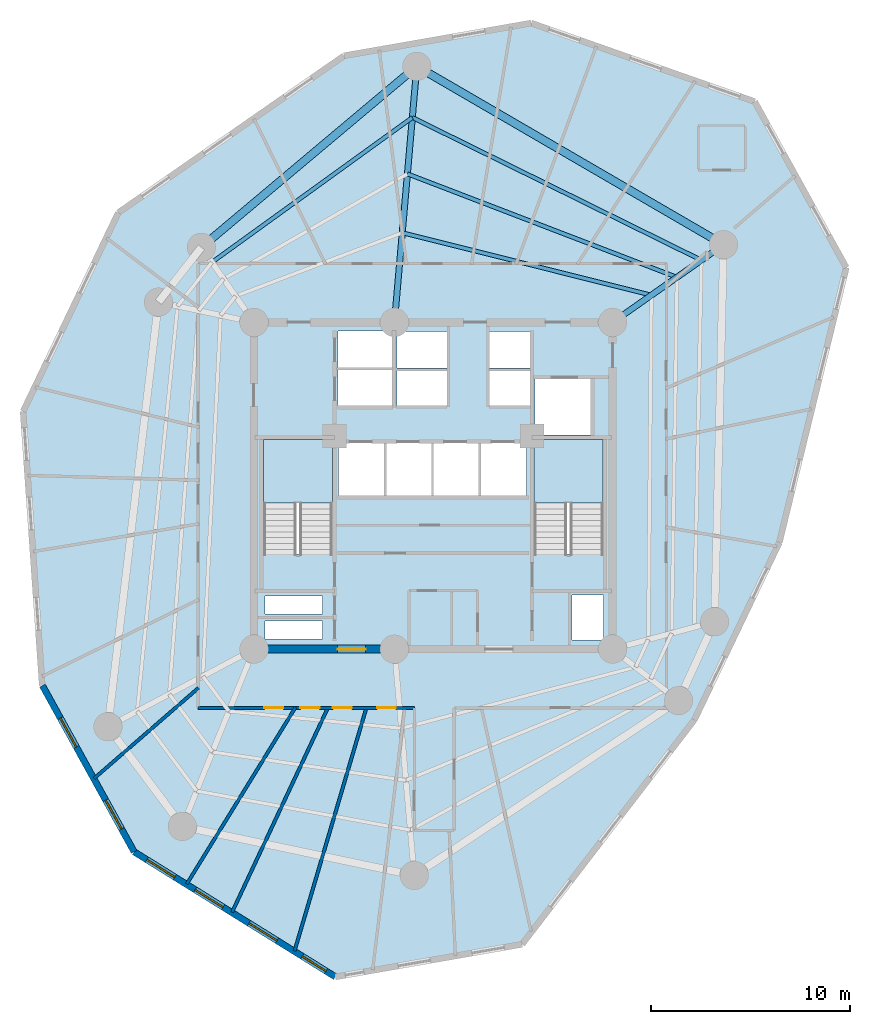
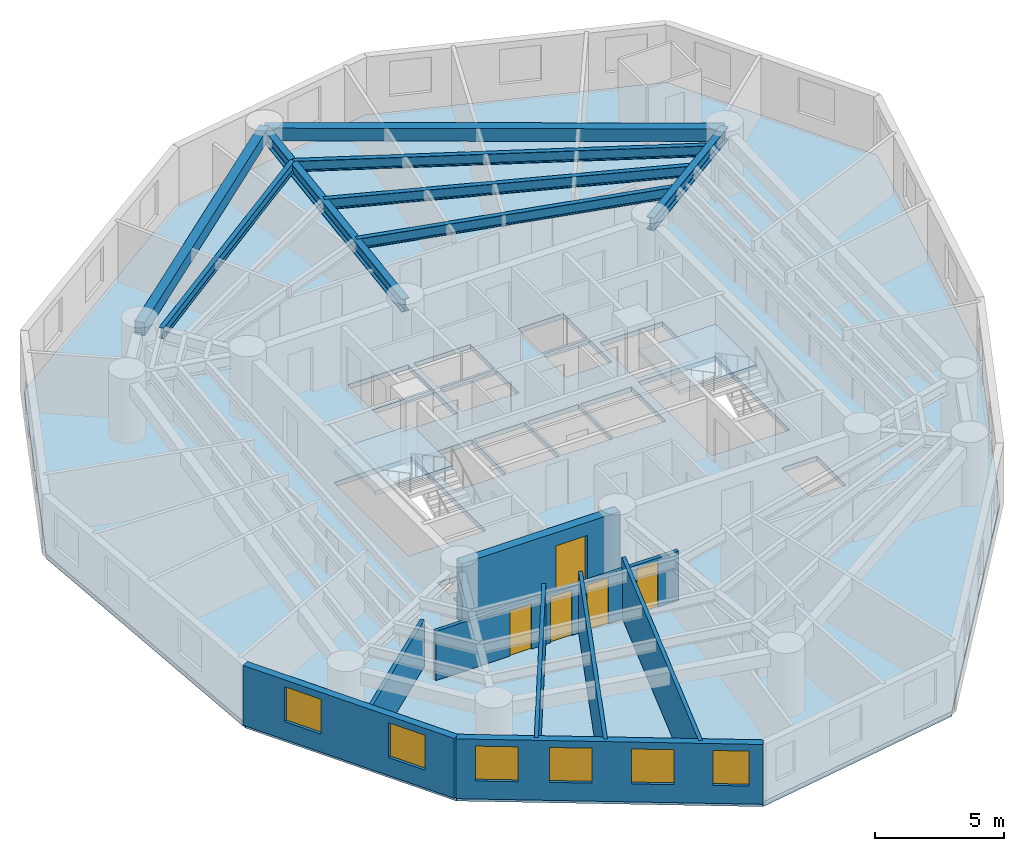
# One storey, part 2 of 7: 8 beams, 8 walls, 6 windows, 5 doors, 3 slabs, 11 openings, 2 elements without a shape of their own.
"""IFC4 building model written with IfcOpenShell, lengths in metres."""

from ifc_helpers import new_model, si_unit, direction, frame, frame_2d, origin, origin_with_axes, origin_2d, place, context, subcontext, project, spatial, polyline, rectangle, i_section, outline, extrude, source, transform, mapped, material, layer, layer_set, material_profile, profile_set, type_object, element, fill, aggregate, save


model = new_model("IFC4")

# Units and contexts
model_context = context("Model", 3, precision=1e-05, world=origin(), true_north=direction((0.0, 1.0)))
body_context = subcontext(model_context, "Body", "Model", "MODEL_VIEW")
ifc_project = project(units=[si_unit("LENGTHUNIT", "METRE"), si_unit("AREAUNIT", "SQUARE_METRE"), si_unit("VOLUMEUNIT", "CUBIC_METRE"), si_unit("PLANEANGLEUNIT", "RADIAN"), si_unit("MASSUNIT", "GRAM", prefix="KILO")], contexts=[model_context])

# Site, building, storey
site_placement = place(None, origin())
site = spatial("IfcSite", under=ifc_project, at=site_placement, CompositionType="ELEMENT")
building_placement = place(site_placement, origin())
building = spatial("IfcBuilding", under=site, at=building_placement, Name="Karkom Vertical University and Central Library", CompositionType="ELEMENT")
storey_placement = place(building_placement, frame((0.0, 0.0, 123.64990234375)))
storey = spatial("IfcBuildingStorey", under=building, at=storey_placement, Name="L34", CompositionType="ELEMENT", Elevation=123.64990234375)

# Beams
ifc_material_1 = material(Name="Precast concrete C45/55", Category="concrete")
ifc_material_profile_1 = material_profile(ifc_material_1, rectangle(XDim=0.39990234375, YDim=0.60009765625, at=origin_2d()), Name="SPB-400x600")
ifc_profile_set_1 = profile_set([ifc_material_profile_1], Name="Precast concrete C45/55")
beam_type_1 = type_object("IfcBeamType", Name="STR-BM-SP-1", PredefinedType="SPANDREL", material=ifc_profile_set_1)
shared_shape_1 = source(origin_with_axes(), body_context, "Body", "SweptSolid", [
    extrude(rectangle(XDim=0.39990234375, YDim=0.60009765625, at=origin_2d()), origin(), (0.0, 0.0, 1.0), 17.808837890625),
])
beam_1_placement = place(storey_placement, frame((43.070068359375, 38.60009765625, 2.525146484375), z_axis=(-0.864512866362, 0.502610688202, 0.0), x_axis=(-0.502610688202, -0.864512866362, 0.0)))
element("IfcBeam", 1, at=beam_1_placement, inside=storey, type_object=beam_type_1, Name="Level 34 Perimeter Spandrel Beam 02", PredefinedType="SPANDREL", context=body_context, shape_type="MappedRepresentation", body=[
    mapped(shared_shape_1, transform((0.0, 0.0, 0.0), scale=1.0)),
])
shared_shape_2 = source(origin_with_axes(), body_context, "Body", "SweptSolid", [
    extrude(rectangle(XDim=0.39990234375, YDim=0.60009765625, at=origin_2d()), origin(), (0.0, 0.0, 1.0), 14.120849609375),
])
beam_2_placement = place(storey_placement, frame((27.674072265625, 47.551025390625, 2.525146484375), z_axis=(-0.765672847866, -0.643230199883, 0.0), x_axis=(0.643230199883, -0.765672847866, 0.0)))
element("IfcBeam", 2, at=beam_2_placement, inside=storey, type_object=beam_type_1, Name="Level 34 Perimeter Spandrel Beam 03", PredefinedType="SPANDREL", context=body_context, shape_type="MappedRepresentation", body=[
    mapped(shared_shape_2, transform((0.0, 0.0, 0.0), scale=1.0)),
])
ifc_material_2 = material(Name="Steel S355", Category="steel")
ifc_material_profile_2 = material_profile(ifc_material_2, i_section(OverallWidth=0.199951171875, OverallDepth=0.5, WebThickness=0.01025390625, FlangeThickness=0.01611328125, FilletRadius=0.02099609375, at=origin_2d()), Name="IPE 500")
ifc_profile_set_2 = profile_set([ifc_material_profile_2], Name="Steel S355")
beam_type_2 = type_object("IfcBeamType", Name="STR-BM-SB-IPE500", PredefinedType="BEAM", material=ifc_profile_set_2)
shared_shape_3 = source(origin_with_axes(), body_context, "Body", "SweptSolid", [
    extrude(i_section(OverallWidth=0.199951171875, OverallDepth=0.5, WebThickness=0.01025390625, FlangeThickness=0.01611328125, FilletRadius=0.02099609375, at=origin_2d()), origin(), (0.0, 0.0, 1.0), 12.892578125),
])
beam_3_placement = place(storey_placement, frame((39.449462890625, 36.06494140625, 2.5751953125), z_axis=(-0.970023194321, 0.243012350468, 0.0), x_axis=(-0.243012350468, -0.970023194321, 0.0)))
element("IfcBeam", 3, at=beam_3_placement, inside=storey, type_object=beam_type_2, Name="Level 34 Secondary Composite Floor Beam 1.02", PredefinedType="BEAM", context=body_context, shape_type="MappedRepresentation", body=[
    mapped(shared_shape_3, transform((0.0, 0.0, 0.0), scale=1.0)),
])
shared_shape_4 = source(origin_with_axes(), body_context, "Body", "SweptSolid", [
    extrude(i_section(OverallWidth=0.199951171875, OverallDepth=0.5, WebThickness=0.01025390625, FlangeThickness=0.01611328125, FilletRadius=0.02099609375, at=origin_2d()), origin(), (0.0, 0.0, 1.0), 14.49072265625),
])
beam_4_placement = place(storey_placement, frame((40.730712890625, 36.9619140625, 2.5751953125), z_axis=(-0.93361673171, 0.35827335691, 0.0), x_axis=(-0.35827335691, -0.93361673171, 0.0)))
element("IfcBeam", 4, at=beam_4_placement, inside=storey, type_object=beam_type_2, Name="Level 34 Secondary Composite Floor Beam 2.02", PredefinedType="BEAM", context=body_context, shape_type="MappedRepresentation", body=[
    mapped(shared_shape_4, transform((0.0, 0.0, 0.0), scale=1.0)),
])
shared_shape_5 = source(origin_with_axes(), body_context, "Body", "SweptSolid", [
    extrude(i_section(OverallWidth=0.199951171875, OverallDepth=0.5, WebThickness=0.01025390625, FlangeThickness=0.01611328125, FilletRadius=0.02099609375, at=origin_2d()), origin(), (0.0, 0.0, 1.0), 16.177978515625),
])
beam_5_placement = place(storey_placement, frame((41.9560546875, 37.820068359375, 2.5751953125), z_axis=(-0.896709262653, 0.442620038263, 0.0), x_axis=(-0.442620038263, -0.896709262653, 0.0)))
element("IfcBeam", 5, at=beam_5_placement, inside=storey, type_object=beam_type_2, Name="Level 34 Secondary Composite Floor Beam 3.02", PredefinedType="BEAM", context=body_context, shape_type="MappedRepresentation", body=[
    mapped(shared_shape_5, transform((0.0, 0.0, 0.0), scale=1.0)),
])
shared_shape_6 = source(origin_with_axes(), body_context, "Body", "SweptSolid", [
    extrude(i_section(OverallWidth=0.199951171875, OverallDepth=0.5, WebThickness=0.01025390625, FlangeThickness=0.01611328125, FilletRadius=0.02099609375, at=origin_2d()), origin(), (0.0, 0.0, 1.0), 12.409423828125),
])
beam_6_placement = place(storey_placement, frame((27.44921875, 44.980712890625, 2.5751953125), z_axis=(-0.810636686292, -0.585549453793, 0.0), x_axis=(0.585549453793, -0.810636686292, 0.0)))
element("IfcBeam", 6, at=beam_6_placement, inside=storey, type_object=beam_type_2, Name="Level 34 Secondary Composite Floor Beam 3.03", PredefinedType="BEAM", context=body_context, shape_type="MappedRepresentation", body=[
    mapped(shared_shape_6, transform((0.0, 0.0, 0.0), scale=1.0)),
])
ifc_material_profile_3 = material_profile(ifc_material_2, i_section(OverallWidth=0.300048828125, OverallDepth=0.60009765625, WebThickness=0.015380859375, FlangeThickness=0.030029296875, FilletRadius=0.027099609375, at=origin_2d()), Name="HE 600 B")
ifc_profile_set_3 = profile_set([ifc_material_profile_3], Name="Steel S355")
beam_type_3 = type_object("IfcBeamType", Name="STR-BM-SB-HE600", PredefinedType="USERDEFINED", material=ifc_profile_set_3)
shared_shape_7 = source(origin_with_axes(), body_context, "Body", "SweptSolid", [
    extrude(i_section(OverallWidth=0.300048828125, OverallDepth=0.60009765625, WebThickness=0.015380859375, FlangeThickness=0.030029296875, FilletRadius=0.027099609375, at=origin_2d()), origin(), (0.0, 0.0, 1.0), 6.7998046875),
])
beam_7_placement = place(storey_placement, frame((37.5, 34.699951171875, 2.525146484375), z_axis=(0.819156008334, 0.573570775066, 0.0), x_axis=(-0.573570775066, 0.819156008334, 0.0)))
element("IfcBeam", 7, at=beam_7_placement, inside=storey, type_object=beam_type_3, Name="Level 34 Radial Frame Girder 02", ObjectType="GIRDER", PredefinedType="USERDEFINED", context=body_context, shape_type="MappedRepresentation", body=[
    mapped(shared_shape_7, transform((0.0, 0.0, 0.0), scale=1.0)),
])
shared_shape_8 = source(origin_with_axes(), body_context, "Body", "SweptSolid", [
    extrude(i_section(OverallWidth=0.300048828125, OverallDepth=0.60009765625, WebThickness=0.015380859375, FlangeThickness=0.030029296875, FilletRadius=0.027099609375, at=origin_2d()), origin(), (0.0, 0.0, 1.0), 12.900146484375),
])
beam_8_placement = place(storey_placement, frame((26.550048828125, 34.699951171875, 2.525146484375), z_axis=(0.087132673751, 0.996196716098, 0.0), x_axis=(-0.996196716098, 0.087132673751, 0.0)))
element("IfcBeam", 8, at=beam_8_placement, inside=storey, type_object=beam_type_3, Name="Level 34 Radial Frame Girder 03", ObjectType="GIRDER", PredefinedType="USERDEFINED", context=body_context, shape_type="MappedRepresentation", body=[
    mapped(shared_shape_8, transform((0.0, 0.0, 0.0), scale=1.0)),
])

# Stair, slab
ifc_material_3 = material(Name="Concrete C45/55", Category="concrete")
stair_type = type_object("IfcStairType", Name="INT-STR-ST-MAIN", PredefinedType="HALF_TURN_STAIR", material=ifc_material_3)
stair_1_placement = place(storey_placement, origin())
stair_1 = element("IfcStair", 9, at=stair_1_placement, inside=storey, type_object=stair_type, Name="Level 34 Tower Protected Exit Stair ST-1", PredefinedType="HALF_TURN_STAIR")
ifc_layer_1 = layer(ifc_material_3, 0.199951171875)
ifc_layer_set_1 = layer_set([ifc_layer_1], Name="Concrete C45/55")
slab_type_1 = type_object("IfcSlabType", Name="INT-SLB-LANDING", PredefinedType="LANDING", material=ifc_layer_set_1)
slab_1_placement = place(storey_placement, frame((0.0, 0.0, 1.3251953125)))
slab_1 = element("IfcSlab", 10, at=slab_1_placement, type_object=slab_type_1, Name="ST-1 landing 1", PredefinedType="LANDING", context=body_context, shape_type="SweptSolid", body=[
    extrude(outline(polyline([(23.43994140625, 25.6298828125), (23.43994140625, 28.820068359375), (19.97998046875, 28.820068359375), (19.97998046875, 25.6298828125), (23.43994140625, 25.6298828125)])), origin(), (0.0, 0.0, 1.0), 0.199951171875),
])
aggregate(stair_1, [slab_1])

stair_2_placement = place(storey_placement, origin())
stair_2 = element("IfcStair", 11, at=stair_2_placement, inside=storey, type_object=stair_type, Name="Level 34 Tower Protected Exit Stair ST-2", PredefinedType="HALF_TURN_STAIR")
slab_2_placement = place(storey_placement, frame((0.0, 0.0, 1.3251953125)))
slab_2 = element("IfcSlab", 12, at=slab_2_placement, type_object=slab_type_1, Name="ST-2 landing 1", PredefinedType="LANDING", context=body_context, shape_type="SweptSolid", body=[
    extrude(outline(polyline([(37.02001953125, 25.6298828125), (37.02001953125, 28.820068359375), (33.56005859375, 28.820068359375), (33.56005859375, 25.6298828125), (37.02001953125, 25.6298828125)])), origin(), (0.0, 0.0, 1.0), 0.199951171875),
])
aggregate(stair_2, [slab_2])

# Slab
ifc_layer_2 = layer(ifc_material_3, 0.22509765625)
ifc_layer_set_2 = layer_set([ifc_layer_2], Name="Concrete C45/55")
slab_type_2 = type_object("IfcSlabType", Name="STR-SLB-FLR-225", PredefinedType="FLOOR", material=ifc_layer_set_2)
slab_3_placement = place(storey_placement, frame((0.0, 0.0, -0.224853515625)))
element("IfcSlab", 13, at=slab_3_placement, inside=storey, type_object=slab_type_2, Name="Level 34 Tower Structural Floor Slab", PredefinedType="FLOOR", context=body_context, shape_type="SweptSolid", body=[
    extrude(outline(polyline([(12.693603515625, 40.202392578125), (7.916748046875, 30.232666015625), (8.877197265625, 16.470458984375), (13.485595703125, 8.120361328125), (23.580322265625, 1.85009765625), (32.955078125, 3.4873046875), (41.6025390625, 14.75), (45.8671875, 23.651123046875), (49.226318359375, 37.44775390625), (44.6279296875, 45.77978515625), (33.415771484375, 49.71826171875), (24.020751953125, 48.077392578125), (12.693603515625, 40.202392578125)]), holes=[polyline([(19.97998046875, 23.0849609375), (23.43994140625, 23.0849609375), (23.43994140625, 28.820068359375), (19.97998046875, 28.820068359375), (19.97998046875, 23.0849609375)]), polyline([(33.56005859375, 23.0849609375), (37.02001953125, 23.0849609375), (37.02001953125, 28.820068359375), (33.56005859375, 28.820068359375), (33.56005859375, 23.0849609375)]), polyline([(23.75, 26.0), (26.030029296875, 26.0), (26.030029296875, 28.64990234375), (23.75, 28.64990234375), (23.75, 26.0)]), polyline([(26.1298828125, 26.0), (28.409912109375, 26.0), (28.409912109375, 28.64990234375), (26.1298828125, 28.64990234375), (26.1298828125, 26.0)]), polyline([(28.510009765625, 26.0), (30.7900390625, 26.0), (30.7900390625, 28.64990234375), (28.510009765625, 28.64990234375), (28.510009765625, 26.0)]), polyline([(30.889892578125, 26.0), (33.169921875, 26.0), (33.169921875, 28.64990234375), (30.889892578125, 28.64990234375), (30.889892578125, 26.0)]), polyline([(26.679931640625, 30.5), (29.199951171875, 30.5), (29.199951171875, 32.25), (26.679931640625, 32.25), (26.679931640625, 30.5)]), polyline([(26.679931640625, 32.39990234375), (29.199951171875, 32.39990234375), (29.199951171875, 34.25), (26.679931640625, 34.25), (26.679931640625, 32.39990234375)]), polyline([(31.300048828125, 30.5), (33.35009765625, 30.5), (33.35009765625, 32.25), (31.300048828125, 32.25), (31.300048828125, 30.5)]), polyline([(31.300048828125, 32.39990234375), (33.35009765625, 32.39990234375), (33.35009765625, 34.25), (31.300048828125, 34.25), (31.300048828125, 32.39990234375)]), polyline([(23.719970703125, 30.47998046875), (26.429931640625, 30.47998046875), (26.429931640625, 32.320068359375), (23.719970703125, 32.320068359375), (23.719970703125, 30.47998046875)]), polyline([(23.719970703125, 32.419921875), (26.429931640625, 32.419921875), (26.429931640625, 34.260009765625), (23.719970703125, 34.260009765625), (23.719970703125, 32.419921875)]), polyline([(33.60009765625, 29.050048828125), (36.39990234375, 29.050048828125), (36.39990234375, 31.85009765625), (33.60009765625, 31.85009765625), (33.60009765625, 29.050048828125)]), polyline([(20.050048828125, 18.820068359375), (22.949951171875, 18.820068359375), (22.949951171875, 19.719970703125), (20.050048828125, 19.719970703125), (20.050048828125, 18.820068359375)]), polyline([(20.050048828125, 20.06005859375), (22.949951171875, 20.06005859375), (22.949951171875, 20.9599609375), (20.050048828125, 20.9599609375), (20.050048828125, 20.06005859375)]), polyline([(35.4599609375, 18.760009765625), (37.0400390625, 18.760009765625), (37.0400390625, 21.010009765625), (35.4599609375, 21.010009765625), (35.4599609375, 18.760009765625)])]), origin(), (0.0, 0.0, 1.0), 0.224853515625),
])

# Wall, openings, windows
ifc_material_4 = material(Name="Brick-faced precast concrete C45/55", Category="masonry")
ifc_layer_3 = layer(ifc_material_4, 0.320068359375)
ifc_layer_set_3 = layer_set([ifc_layer_3], Name="Brick-faced precast concrete C45/55")
wall_type_1 = type_object("IfcWallType", Name="ENV-WL-BRK-320", PredefinedType="SOLIDWALL", material=ifc_layer_set_3)
wall_1_placement = place(storey_placement, frame((8.877197265625, 16.470458984375, 0.0), z_axis=(0.0, 0.0, 1.0), x_axis=(0.48319373279, -0.87551345883, 0.0)))
wall_1 = element("IfcWall", 14, at=wall_1_placement, inside=storey, type_object=wall_type_1, Name="Level 34 Brick-Faced Precast Facade Wall 03", PredefinedType="SOLIDWALL", context=body_context, shape_type="SweptSolid", body=[
    extrude(rectangle(XDim=9.537353515625, YDim=0.320068359375, at=frame_2d((4.7685546875, 0.0))), origin(), (0.0, 0.0, 1.0), 2.8251953125),
])
opening_1_placement = place(wall_1_placement, frame((1.869384765625, 0.0, 0.85009765625)))
opening_1 = element("IfcOpeningElement", 15, at=opening_1_placement, cuts=wall_1, Name="Opening WN-06", PredefinedType="OPENING", context=body_context, shape_type="SweptSolid", body=[
    extrude(rectangle(XDim=1.64990234375, YDim=1.64990234375, at=frame_2d((0.824951171875, 0.824951171875))), frame((0.0, 0.169921875, 0.0), z_axis=(0.0, -1.0, 0.0), x_axis=(1.0, 0.0, 0.0)), (0.0, 0.0, 1.0), 0.340087890625),
])
opening_2_placement = place(wall_1_placement, frame((6.578125, 0.0, 0.85009765625)))
opening_2 = element("IfcOpeningElement", 16, at=opening_2_placement, cuts=wall_1, Name="Opening WN-06", PredefinedType="OPENING", context=body_context, shape_type="SweptSolid", body=[
    extrude(rectangle(XDim=1.64990234375, YDim=1.64990234375, at=frame_2d((0.824951171875, 0.824951171875))), frame((0.0, 0.169921875, 0.0), z_axis=(0.0, -1.0, 0.0), x_axis=(1.0, 0.0, 0.0)), (0.0, 0.0, 1.0), 0.340087890625),
])
ifc_material_5 = material(Name="Aluminium thermal-break frame with solar-control IGU", Category="aluminium")
window_type_1 = type_object("IfcWindowType", Name="ENV-WIN-WN-06", PartitioningType="SINGLE_PANEL", PredefinedType="WINDOW", material=ifc_material_5)
shared_shape_9 = source(origin_with_axes(), body_context, "Body", "SweptSolid", [
    extrude(rectangle(XDim=1.64990234375, YDim=1.64990234375, at=frame_2d((0.824951171875, 0.824951171875))), frame((0.0, 0.030029296875, 0.0), z_axis=(0.0, -1.0, 0.0), x_axis=(1.0, 0.0, 0.0)), (0.0, 0.0, 1.0), 0.06005859375),
])
window_1_placement = place(opening_1_placement, origin())
window_1 = element("IfcWindow", 17, at=window_1_placement, inside=storey, type_object=window_type_1, Name="Level 34 Punched Window 3.1", OverallHeight=1.64990234375, OverallWidth=1.64990234375, PartitioningType="SINGLE_PANEL", PredefinedType="WINDOW", context=body_context, shape_type="MappedRepresentation", body=[
    mapped(shared_shape_9, transform((0.0, 0.0, 0.0), scale=1.0)),
])
fill(opening_1, window_1)
window_2_placement = place(opening_2_placement, origin())
window_2 = element("IfcWindow", 18, at=window_2_placement, inside=storey, type_object=window_type_1, Name="Level 34 Punched Window 3.2", OverallHeight=1.64990234375, OverallWidth=1.64990234375, PartitioningType="SINGLE_PANEL", PredefinedType="WINDOW", context=body_context, shape_type="MappedRepresentation", body=[
    mapped(shared_shape_9, transform((0.0, 0.0, 0.0), scale=1.0)),
])
fill(opening_2, window_2)

wall_2_placement = place(storey_placement, frame((13.485595703125, 8.120361328125, 0.0), z_axis=(0.0, 0.0, 1.0), x_axis=(0.849467759899, -0.527640526204, 0.0)))
wall_2 = element("IfcWall", 19, at=wall_2_placement, inside=storey, type_object=wall_type_1, Name="Level 34 Brick-Faced Precast Facade Wall 04", PredefinedType="SOLIDWALL", context=body_context, shape_type="SweptSolid", body=[
    extrude(rectangle(XDim=11.883544921875, YDim=0.320068359375, at=frame_2d((5.94189453125, 0.0))), origin(), (0.0, 0.0, 1.0), 2.8251953125),
])
opening_3_placement = place(wall_2_placement, frame((0.752197265625, 0.0, 0.85009765625)))
opening_3 = element("IfcOpeningElement", 20, at=opening_3_placement, cuts=wall_2, Name="Opening WN-06", PredefinedType="OPENING", context=body_context, shape_type="SweptSolid", body=[
    extrude(rectangle(XDim=1.64990234375, YDim=1.64990234375, at=frame_2d((0.824951171875, 0.824951171875))), frame((0.0, 0.169921875, 0.0), z_axis=(0.0, -1.0, 0.0), x_axis=(1.0, 0.0, 0.0)), (0.0, 0.0, 1.0), 0.340087890625),
])
opening_4_placement = place(wall_2_placement, frame((3.606689453125, 0.0, 0.85009765625)))
opening_4 = element("IfcOpeningElement", 21, at=opening_4_placement, cuts=wall_2, Name="Opening WN-06", PredefinedType="OPENING", context=body_context, shape_type="SweptSolid", body=[
    extrude(rectangle(XDim=1.64990234375, YDim=1.64990234375, at=frame_2d((0.824951171875, 0.824951171875))), frame((0.0, 0.169921875, 0.0), z_axis=(0.0, -1.0, 0.0), x_axis=(1.0, 0.0, 0.0)), (0.0, 0.0, 1.0), 0.340087890625),
])
opening_5_placement = place(wall_2_placement, frame((6.78564453125, 0.0, 0.85009765625)))
opening_5 = element("IfcOpeningElement", 22, at=opening_5_placement, cuts=wall_2, Name="Opening WN-06", PredefinedType="OPENING", context=body_context, shape_type="SweptSolid", body=[
    extrude(rectangle(XDim=1.64990234375, YDim=1.64990234375, at=frame_2d((0.824951171875, 0.824951171875))), frame((0.0, 0.169921875, 0.0), z_axis=(0.0, -1.0, 0.0), x_axis=(1.0, 0.0, 0.0)), (0.0, 0.0, 1.0), 0.340087890625),
])
opening_6_placement = place(wall_2_placement, frame((9.93798828125, 0.0, 0.85009765625)))
opening_6 = element("IfcOpeningElement", 23, at=opening_6_placement, cuts=wall_2, Name="Opening WN-07", PredefinedType="OPENING", context=body_context, shape_type="SweptSolid", body=[
    extrude(rectangle(XDim=1.39990234375, YDim=1.64990234375, at=frame_2d((0.699951171875, 0.824951171875))), frame((0.0, 0.169921875, 0.0), z_axis=(0.0, -1.0, 0.0), x_axis=(1.0, 0.0, 0.0)), (0.0, 0.0, 1.0), 0.340087890625),
])
window_3_placement = place(opening_3_placement, origin())
window_3 = element("IfcWindow", 24, at=window_3_placement, inside=storey, type_object=window_type_1, Name="Level 34 Punched Window 4.1", OverallHeight=1.64990234375, OverallWidth=1.64990234375, PartitioningType="SINGLE_PANEL", PredefinedType="WINDOW", context=body_context, shape_type="MappedRepresentation", body=[
    mapped(shared_shape_9, transform((0.0, 0.0, 0.0), scale=1.0)),
])
fill(opening_3, window_3)
window_4_placement = place(opening_4_placement, origin())
window_4 = element("IfcWindow", 25, at=window_4_placement, inside=storey, type_object=window_type_1, Name="Level 34 Punched Window 4.2", OverallHeight=1.64990234375, OverallWidth=1.64990234375, PartitioningType="SINGLE_PANEL", PredefinedType="WINDOW", context=body_context, shape_type="MappedRepresentation", body=[
    mapped(shared_shape_9, transform((0.0, 0.0, 0.0), scale=1.0)),
])
fill(opening_4, window_4)
window_5_placement = place(opening_5_placement, origin())
window_5 = element("IfcWindow", 26, at=window_5_placement, inside=storey, type_object=window_type_1, Name="Level 34 Punched Window 4.3", OverallHeight=1.64990234375, OverallWidth=1.64990234375, PartitioningType="SINGLE_PANEL", PredefinedType="WINDOW", context=body_context, shape_type="MappedRepresentation", body=[
    mapped(shared_shape_9, transform((0.0, 0.0, 0.0), scale=1.0)),
])
fill(opening_5, window_5)
window_type_2 = type_object("IfcWindowType", Name="ENV-WIN-WN-07", PartitioningType="SINGLE_PANEL", PredefinedType="WINDOW", material=ifc_material_5)
shared_shape_10 = source(origin_with_axes(), body_context, "Body", "SweptSolid", [
    extrude(rectangle(XDim=1.39990234375, YDim=1.64990234375, at=frame_2d((0.699951171875, 0.824951171875))), frame((0.0, 0.030029296875, 0.0), z_axis=(0.0, -1.0, 0.0), x_axis=(1.0, 0.0, 0.0)), (0.0, 0.0, 1.0), 0.06005859375),
])
window_6_placement = place(opening_6_placement, origin())
window_6 = element("IfcWindow", 27, at=window_6_placement, inside=storey, type_object=window_type_2, Name="Level 34 Punched Window 4.4", OverallHeight=1.64990234375, OverallWidth=1.39990234375, PartitioningType="SINGLE_PANEL", PredefinedType="WINDOW", context=body_context, shape_type="MappedRepresentation", body=[
    mapped(shared_shape_10, transform((0.0, 0.0, 0.0), scale=1.0)),
])
fill(opening_6, window_6)

# Walls
ifc_material_6 = material(Name="Insulated metal-stud drywall 160mm", Category="gypsum")
ifc_layer_4 = layer(ifc_material_6, 0.159912109375)
ifc_layer_set_4 = layer_set([ifc_layer_4], Name="Insulated metal-stud drywall 160mm")
wall_type_2 = type_object("IfcWallType", Name="INT-WL-COR-160", PredefinedType="PARTITIONING", material=ifc_layer_set_4)
wall_3_placement = place(storey_placement, frame((25.15087890625, 15.37890625, 0.0), z_axis=(0.0, 0.0, 1.0), x_axis=(-0.283419382295, -0.958996065549, 0.0)))
element("IfcWall", 28, at=wall_3_placement, inside=storey, type_object=wall_type_2, Name="Level 34 Interior Partition Wall L34-PW-007", PredefinedType="PARTITIONING", context=body_context, shape_type="SweptSolid", body=[
    extrude(rectangle(XDim=12.75048828125, YDim=0.159912109375, at=frame_2d((6.375244140625, 0.0))), origin(), (0.0, 0.0, 1.0), 2.8251953125),
])
wall_4_placement = place(storey_placement, frame((23.22119140625, 15.377197265625, 0.0), z_axis=(0.0, 0.0, 1.0), x_axis=(-0.424355098635, -0.905495858777, 0.0)))
element("IfcWall", 29, at=wall_4_placement, inside=storey, type_object=wall_type_2, Name="Level 34 Interior Partition Wall L34-PW-006", PredefinedType="PARTITIONING", context=body_context, shape_type="SweptSolid", body=[
    extrude(rectangle(XDim=11.3544921875, YDim=0.159912109375, at=frame_2d((5.67724609375, 0.0))), origin(), (0.0, 0.0, 1.0), 2.8251953125),
])

# Wall, openings, doors
wall_5_placement = place(storey_placement, frame((27.550048828125, 15.35009765625, 0.0), z_axis=(0.0, 0.0, 1.0), x_axis=(-1.0, 0.0, 0.0)))
wall_5 = element("IfcWall", 30, at=wall_5_placement, inside=storey, type_object=wall_type_2, Name="Level 34 Interior Partition Wall L34-CORW-CW-001", PredefinedType="PARTITIONING", context=body_context, shape_type="SweptSolid", body=[
    extrude(rectangle(XDim=10.85009765625, YDim=0.159912109375, at=frame_2d((5.425048828125, 0.0))), origin(), (0.0, 0.0, 1.0), 2.3251953125),
])
opening_7_placement = place(wall_5_placement, frame((6.577392578125, 0.0, 0.0)))
opening_7 = element("IfcOpeningElement", 31, at=opening_7_placement, cuts=wall_5, Name="Opening D-RM1", PredefinedType="OPENING", context=body_context, shape_type="SweptSolid", body=[
    extrude(rectangle(XDim=0.949951171875, YDim=2.14990234375, at=frame_2d((0.47509765625, 1.074951171875))), frame((0.0, 0.08984375, 0.0), z_axis=(0.0, -1.0, 0.0), x_axis=(1.0, 0.0, 0.0)), (0.0, 0.0, 1.0), 0.179931640625),
])
opening_8_placement = place(wall_5_placement, frame((4.760009765625, 0.0, 0.0)))
opening_8 = element("IfcOpeningElement", 32, at=opening_8_placement, cuts=wall_5, Name="Opening FD-RM2", PredefinedType="OPENING", context=body_context, shape_type="SweptSolid", body=[
    extrude(rectangle(XDim=0.9599609375, YDim=2.14990234375, at=frame_2d((0.47998046875, 1.074951171875))), frame((0.0, 0.08984375, 0.0), z_axis=(0.0, -1.0, 0.0), x_axis=(1.0, 0.0, 0.0)), (0.0, 0.0, 1.0), 0.179931640625),
])
opening_9_placement = place(wall_5_placement, frame((3.132568359375, 0.0, 0.0)))
opening_9 = element("IfcOpeningElement", 33, at=opening_9_placement, cuts=wall_5, Name="Opening FD-RM2", PredefinedType="OPENING", context=body_context, shape_type="SweptSolid", body=[
    extrude(rectangle(XDim=0.9599609375, YDim=2.14990234375, at=frame_2d((0.47998046875, 1.074951171875))), frame((0.0, 0.08984375, 0.0), z_axis=(0.0, -1.0, 0.0), x_axis=(1.0, 0.0, 0.0)), (0.0, 0.0, 1.0), 0.179931640625),
])
opening_10_placement = place(wall_5_placement, frame((0.922607421875, 0.0, 0.0)))
opening_10 = element("IfcOpeningElement", 34, at=opening_10_placement, cuts=wall_5, Name="Opening D-RM1", PredefinedType="OPENING", context=body_context, shape_type="SweptSolid", body=[
    extrude(rectangle(XDim=0.949951171875, YDim=2.14990234375, at=frame_2d((0.47509765625, 1.074951171875))), frame((0.0, 0.08984375, 0.0), z_axis=(0.0, -1.0, 0.0), x_axis=(1.0, 0.0, 0.0)), (0.0, 0.0, 1.0), 0.179931640625),
])
ifc_material_7 = material(Name="Fire-rated oak veneer door", Category="wood")
door_type_1 = type_object("IfcDoorType", Name="INT-DR-FRM2", OperationType="NOTDEFINED", PredefinedType="DOOR", material=ifc_material_7)
shared_shape_11 = source(origin_with_axes(), body_context, "Body", "SweptSolid", [
    extrude(rectangle(XDim=0.9599609375, YDim=2.14990234375, at=frame_2d((0.47998046875, 1.074951171875))), frame((0.0, 0.02490234375, 0.0), z_axis=(0.0, -1.0, 0.0), x_axis=(1.0, 0.0, 0.0)), (0.0, 0.0, 1.0), 0.050048828125),
])
door_1_placement = place(opening_8_placement, origin())
door_1 = element("IfcDoor", 35, at=door_1_placement, inside=storey, type_object=door_type_1, Name="Level 34 Room Entry Door 040", OperationType="SINGLE_SWING_LEFT", OverallHeight=2.14990234375, OverallWidth=0.9599609375, PredefinedType="DOOR", context=body_context, shape_type="MappedRepresentation", body=[
    mapped(shared_shape_11, transform((0.0, 0.0, 0.0), scale=1.0)),
])
fill(opening_8, door_1)
door_2_placement = place(opening_9_placement, origin())
door_2 = element("IfcDoor", 36, at=door_2_placement, inside=storey, type_object=door_type_1, Name="Level 34 Room Entry Door 050", OperationType="SINGLE_SWING_RIGHT", OverallHeight=2.14990234375, OverallWidth=0.9599609375, PredefinedType="DOOR", context=body_context, shape_type="MappedRepresentation", body=[
    mapped(shared_shape_11, transform((0.0, 0.0, 0.0), scale=1.0)),
])
fill(opening_9, door_2)
ifc_material_8 = material(Name="Solid-core oak veneer door", Category="wood")
door_type_2 = type_object("IfcDoorType", Name="INT-DR-RM1", OperationType="NOTDEFINED", PredefinedType="DOOR", material=ifc_material_8)
shared_shape_12 = source(origin_with_axes(), body_context, "Body", "SweptSolid", [
    extrude(rectangle(XDim=0.949951171875, YDim=2.14990234375, at=frame_2d((0.47509765625, 1.074951171875))), frame((0.0, 0.02490234375, 0.0), z_axis=(0.0, -1.0, 0.0), x_axis=(1.0, 0.0, 0.0)), (0.0, 0.0, 1.0), 0.050048828125),
])
door_3_placement = place(opening_7_placement, origin())
door_3 = element("IfcDoor", 37, at=door_3_placement, inside=storey, type_object=door_type_2, Name="Level 34 Room Entry Door 030", OperationType="SINGLE_SWING_RIGHT", OverallHeight=2.14990234375, OverallWidth=0.949951171875, PredefinedType="DOOR", context=body_context, shape_type="MappedRepresentation", body=[
    mapped(shared_shape_12, transform((0.0, 0.0, 0.0), scale=1.0)),
])
fill(opening_7, door_3)
door_4_placement = place(opening_10_placement, origin())
door_4 = element("IfcDoor", 38, at=door_4_placement, inside=storey, type_object=door_type_2, Name="Level 34 Room Entry Door 060", OperationType="SINGLE_SWING_LEFT", OverallHeight=2.14990234375, OverallWidth=0.949951171875, PredefinedType="DOOR", context=body_context, shape_type="MappedRepresentation", body=[
    mapped(shared_shape_12, transform((0.0, 0.0, 0.0), scale=1.0)),
])
fill(opening_10, door_4)

# Walls
wall_6_placement = place(storey_placement, frame((21.583740234375, 15.37548828125, 0.0), z_axis=(0.0, 0.0, 1.0), x_axis=(-0.524088266977, -0.851663952752, 0.0)))
element("IfcWall", 39, at=wall_6_placement, inside=storey, type_object=wall_type_2, Name="Level 34 Interior Partition Wall L34-PW-005", PredefinedType="PARTITIONING", context=body_context, shape_type="SweptSolid", body=[
    extrude(rectangle(XDim=10.4111328125, YDim=0.159912109375, at=frame_2d((5.20556640625, 0.0))), origin(), (0.0, 0.0, 1.0), 2.8251953125),
])
wall_7_placement = place(storey_placement, frame((16.72265625, 16.361083984375, 0.0), z_axis=(0.0, 0.0, 1.0), x_axis=(-0.755325795134, -0.655349481731, 0.0)))
element("IfcWall", 40, at=wall_7_placement, inside=storey, type_object=wall_type_2, Name="Level 34 Interior Partition Wall L34-PW-004", PredefinedType="PARTITIONING", context=body_context, shape_type="SweptSolid", body=[
    extrude(rectangle(XDim=6.942626953125, YDim=0.159912109375, at=frame_2d((3.47119140625, 0.0))), origin(), (0.0, 0.0, 1.0), 2.22509765625),
])

# Wall, opening, door
ifc_material_9 = material(Name="Concrete C50/60", Category="concrete")
ifc_layer_5 = layer(ifc_material_9, 0.39990234375)
ifc_layer_set_5 = layer_set([ifc_layer_5], Name="Concrete C50/60")
wall_type_3 = type_object("IfcWallType", Name="STR-WL-CW-400", PredefinedType="SHEAR", material=ifc_layer_set_5)
wall_8_placement = place(storey_placement, frame((19.5, 18.300048828125, 0.0), z_axis=(0.0, 0.0, 1.0), x_axis=(1.0, 0.0, 0.0)))
wall_8 = element("IfcWall", 41, at=wall_8_placement, inside=storey, type_object=wall_type_3, Name="Level 34 Central Core Shear Wall SW1", PredefinedType="SHEAR", context=body_context, shape_type="SweptSolid", body=[
    extrude(rectangle(XDim=7.050048828125, YDim=0.39990234375, at=frame_2d((3.52490234375, 0.0))), origin(), (0.0, 0.0, 1.0), 2.8251953125),
])
opening_11_placement = place(wall_8_placement, frame((4.199951171875, 0.0, 0.0)))
opening_11 = element("IfcOpeningElement", 42, at=opening_11_placement, cuts=wall_8, Name="Opening FD-CLB", PredefinedType="OPENING", context=body_context, shape_type="SweptSolid", body=[
    extrude(rectangle(XDim=1.39990234375, YDim=2.199951171875, at=frame_2d((0.699951171875, 1.10009765625))), frame((0.0, 0.2099609375, 0.0), z_axis=(0.0, -1.0, 0.0), x_axis=(1.0, 0.0, 0.0)), (0.0, 0.0, 1.0), 0.419921875),
])
ifc_material_10 = material(Name="Painted steel fire door", Category="steel")
door_type_3 = type_object("IfcDoorType", Name="INT-DR-CLB", OperationType="DOUBLE_DOOR_SINGLE_SWING", PredefinedType="DOOR", material=ifc_material_10)
shared_shape_13 = source(origin_with_axes(), body_context, "Body", "SweptSolid", [
    extrude(rectangle(XDim=1.39990234375, YDim=2.199951171875, at=frame_2d((0.699951171875, 1.10009765625))), frame((0.0, 0.02490234375, 0.0), z_axis=(0.0, -1.0, 0.0), x_axis=(1.0, 0.0, 0.0)), (0.0, 0.0, 1.0), 0.050048828125),
])
door_5_placement = place(opening_11_placement, origin())
door_5 = element("IfcDoor", 43, at=door_5_placement, inside=storey, type_object=door_type_3, Name="Level 34 South Core Lobby West Exit Door", OperationType="DOUBLE_DOOR_SINGLE_SWING", OverallHeight=2.199951171875, OverallWidth=1.39990234375, PredefinedType="DOOR", context=body_context, shape_type="MappedRepresentation", body=[
    mapped(shared_shape_13, transform((0.0, 0.0, 0.0), scale=1.0)),
])
fill(opening_11, door_5)

save(model, "model.ifc")
